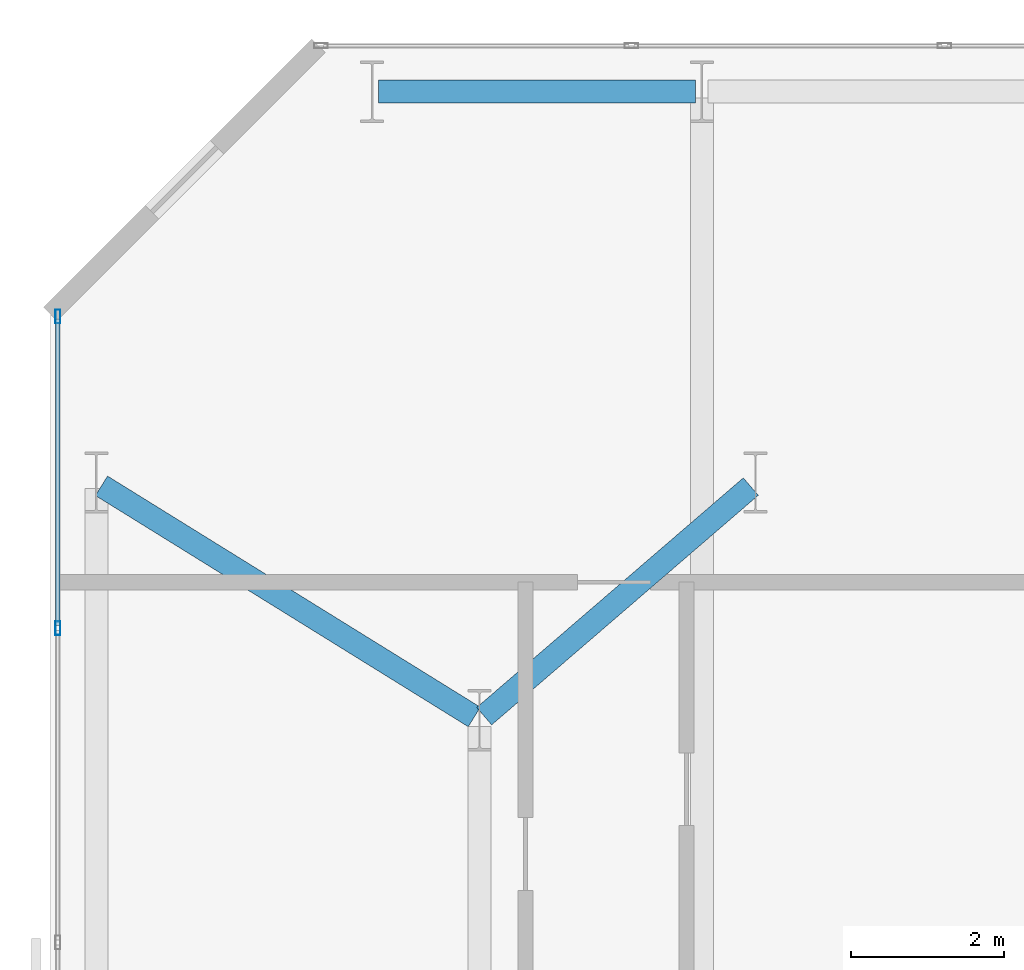
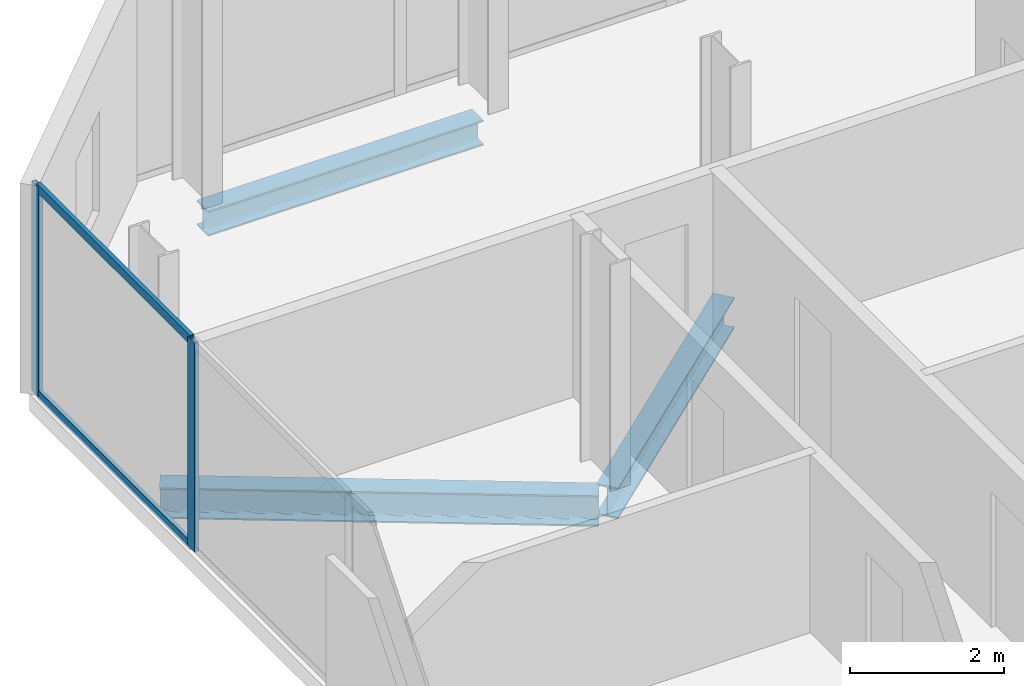
# One storey, part 20 of 33: 4 members, 3 beams, 1 element without a shape of its own.
"""IFC4 building model written with IfcOpenShell, lengths in metres."""

from ifc_helpers import new_model, si_unit, direction, frame, origin, origin_2d, place, context, subcontext, project, spatial, hollow_rectangle, i_section, extrude, material, layer, layer_set, material_profile, profile_set, type_object, element, aggregate, save


model = new_model("IFC4")

# Units and contexts
model_context = context("Model", 3, precision=1e-05, world=origin(), true_north=direction((0.0, 1.0)))
body_context = subcontext(model_context, "Body", "Model", "MODEL_VIEW")
ifc_project = project(units=[si_unit("LENGTHUNIT", "METRE"), si_unit("AREAUNIT", "SQUARE_METRE"), si_unit("VOLUMEUNIT", "CUBIC_METRE"), si_unit("PLANEANGLEUNIT", "RADIAN"), si_unit("MASSUNIT", "GRAM", prefix="KILO")], contexts=[model_context])

# Site, building, storey
site_placement = place(None, origin())
site = spatial("IfcSite", under=ifc_project, at=site_placement, CompositionType="ELEMENT")
building_placement = place(site_placement, origin())
building = spatial("IfcBuilding", under=site, at=building_placement, Name="Catumbela Crestline Tower", CompositionType="ELEMENT")
storey_placement = place(building_placement, frame((0.0, 0.0, 72.6)))
storey = spatial("IfcBuildingStorey", under=building, at=storey_placement, Name="L18", CompositionType="ELEMENT", Elevation=72.6)

# Beams
ifc_material_1 = material(Name="Structural steel S355J2", Category="steel")
ifc_material_profile_1 = material_profile(ifc_material_1, i_section(OverallWidth=0.3, OverallDepth=0.49, WebThickness=0.012, FlangeThickness=0.023, FilletRadius=0.027, at=origin_2d()), Name="HEA 500")
ifc_profile_set_1 = profile_set([ifc_material_profile_1], Name="Structural steel S355J2")
beam_type_1 = type_object("IfcBeamType", Name="BG-HEA500", PredefinedType="BEAM", material=ifc_profile_set_1)
beam_1_placement = place(storey_placement, frame((0.668, 42.2578, -0.505), z_axis=(0.849908952007, -0.526929571479, 0.0), x_axis=(0.526929571479, 0.849908952007, 0.0)))
element("IfcBeam", 1, at=beam_1_placement, inside=storey, type_object=beam_type_1, Name="L18 Beam BM-L18-N13", PredefinedType="BEAM", context=body_context, shape_type="SweptSolid", body=[
    extrude(i_section(OverallWidth=0.3, OverallDepth=0.49, WebThickness=0.012, FlangeThickness=0.023, FilletRadius=0.027, at=origin_2d()), origin(), (0.0, 0.0, 1.0), 5.723),
])
beam_2_placement = place(storey_placement, frame((5.6606, 39.2522, -0.505), z_axis=(0.757772392559, 0.652518966066, 0.0), x_axis=(-0.652518966066, 0.757772392559, 0.0)))
element("IfcBeam", 2, at=beam_2_placement, inside=storey, type_object=beam_type_1, Name="L18 Beam BM-L18-N14", PredefinedType="BEAM", context=body_context, shape_type="SweptSolid", body=[
    extrude(i_section(OverallWidth=0.3, OverallDepth=0.49, WebThickness=0.012, FlangeThickness=0.023, FilletRadius=0.027, at=origin_2d()), origin(), (0.0, 0.0, 1.0), 4.5908),
])

# Curtain wall, members
ifc_material_2 = material(Name="Aluminium alloy AW-6060-T66", Category="aluminium")
ifc_layer = layer(ifc_material_2, 0.18, Name="Aluminium alloy AW-6060-T66")
ifc_layer_set = layer_set([ifc_layer], Name="Aluminium alloy AW-6060-T66")
curtain_wall_type = type_object("IfcCurtainWallType", Name="CWU-Z1", PredefinedType="USERDEFINED", material=ifc_layer_set)
curtain_wall_placement = place(storey_placement, origin())
curtain_wall = element("IfcCurtainWall", 3, at=curtain_wall_placement, inside=storey, type_object=curtain_wall_type, Name="L18 Unitised Curtain Wall CW-L18-E9S1", ObjectType="UNITISED", PredefinedType="USERDEFINED")
ifc_material_profile_2 = material_profile(ifc_material_2, hollow_rectangle(XDim=0.065, YDim=0.18, WallThickness=0.004, at=origin_2d()), Name="ALU 180x65x4")
ifc_profile_set_2 = profile_set([ifc_material_profile_2], Name="Aluminium alloy AW-6060-T66")
member_type_1 = type_object("IfcMemberType", Name="MUL-180X65", PredefinedType="MULLION", material=ifc_profile_set_2)
member_1_placement = place(storey_placement, frame((0.1, 44.4675, 0.0), z_axis=(0.0, 0.0, 1.0), x_axis=(1.0, 0.0, 0.0)))
member_1 = element("IfcMember", 4, at=member_1_placement, type_object=member_type_1, Name="CWU-Z1 mullion 1", PredefinedType="MULLION", context=body_context, shape_type="SweptSolid", body=[
    extrude(hollow_rectangle(XDim=0.065, YDim=0.18, WallThickness=0.004, at=origin_2d()), origin(), (0.0, 0.0, 1.0), 3.33),
])
member_2_placement = place(storey_placement, frame((0.1, 40.4, 0.0), z_axis=(0.0, 0.0, 1.0), x_axis=(1.0, 0.0, 0.0)))
member_2 = element("IfcMember", 5, at=member_2_placement, type_object=member_type_1, Name="CWU-Z1 mullion 2", PredefinedType="MULLION", context=body_context, shape_type="SweptSolid", body=[
    extrude(hollow_rectangle(XDim=0.065, YDim=0.18, WallThickness=0.004, at=origin_2d()), origin(), (0.0, 0.0, 1.0), 3.33),
])

# Beam
ifc_material_profile_3 = material_profile(ifc_material_1, i_section(OverallWidth=0.3, OverallDepth=0.4, WebThickness=0.0135, FlangeThickness=0.024, FilletRadius=0.027, at=origin_2d()), Name="HEB 400")
ifc_profile_set_3 = profile_set([ifc_material_profile_3], Name="Structural steel S355J2")
beam_type_2 = type_object("IfcBeamType", Name="BS-HEB400", PredefinedType="SPANDREL", material=ifc_profile_set_3)
beam_3_placement = place(storey_placement, frame((4.28, 47.4, -0.46), z_axis=(1.0, 0.0, 0.0), x_axis=(0.0, 1.0, 0.0)))
element("IfcBeam", 6, at=beam_3_placement, inside=storey, type_object=beam_type_2, Name="L18 Spandrel SP-L18-NF19", PredefinedType="SPANDREL", context=body_context, shape_type="SweptSolid", body=[
    extrude(i_section(OverallWidth=0.3, OverallDepth=0.4, WebThickness=0.0135, FlangeThickness=0.024, FilletRadius=0.027, at=origin_2d()), origin(), (0.0, 0.0, 1.0), 4.14),
])

# Member
ifc_material_profile_4 = material_profile(ifc_material_2, hollow_rectangle(XDim=0.06, YDim=0.14, WallThickness=0.004, at=origin_2d()), Name="ALU 140x60x4")
ifc_profile_set_4 = profile_set([ifc_material_profile_4], Name="Aluminium alloy AW-6060-T66")
member_type_2 = type_object("IfcMemberType", Name="TRN-140X60", PredefinedType="USERDEFINED", material=ifc_profile_set_4)
member_3_placement = place(storey_placement, frame((0.1, 44.435, 0.03), z_axis=(0.0, -1.0, 0.0), x_axis=(1.0, 0.0, 0.0)))
member_3 = element("IfcMember", 7, at=member_3_placement, type_object=member_type_2, Name="CWU-Z1 transom 1.1", ObjectType="TRANSOM", PredefinedType="USERDEFINED", context=body_context, shape_type="SweptSolid", body=[
    extrude(hollow_rectangle(XDim=0.06, YDim=0.14, WallThickness=0.004, at=origin_2d()), origin(), (0.0, 0.0, 1.0), 4.0025),
])

member_4_placement = place(storey_placement, frame((0.1, 44.435, 3.3), z_axis=(0.0, -1.0, 0.0), x_axis=(1.0, 0.0, 0.0)))
member_4 = element("IfcMember", 8, at=member_4_placement, type_object=member_type_2, Name="CWU-Z1 transom 1.2", ObjectType="TRANSOM", PredefinedType="USERDEFINED", context=body_context, shape_type="SweptSolid", body=[
    extrude(hollow_rectangle(XDim=0.06, YDim=0.14, WallThickness=0.004, at=origin_2d()), origin(), (0.0, 0.0, 1.0), 4.0025),
])

aggregate(curtain_wall, [member_1, member_2, member_3, member_4])

save(model, "model.ifc")
